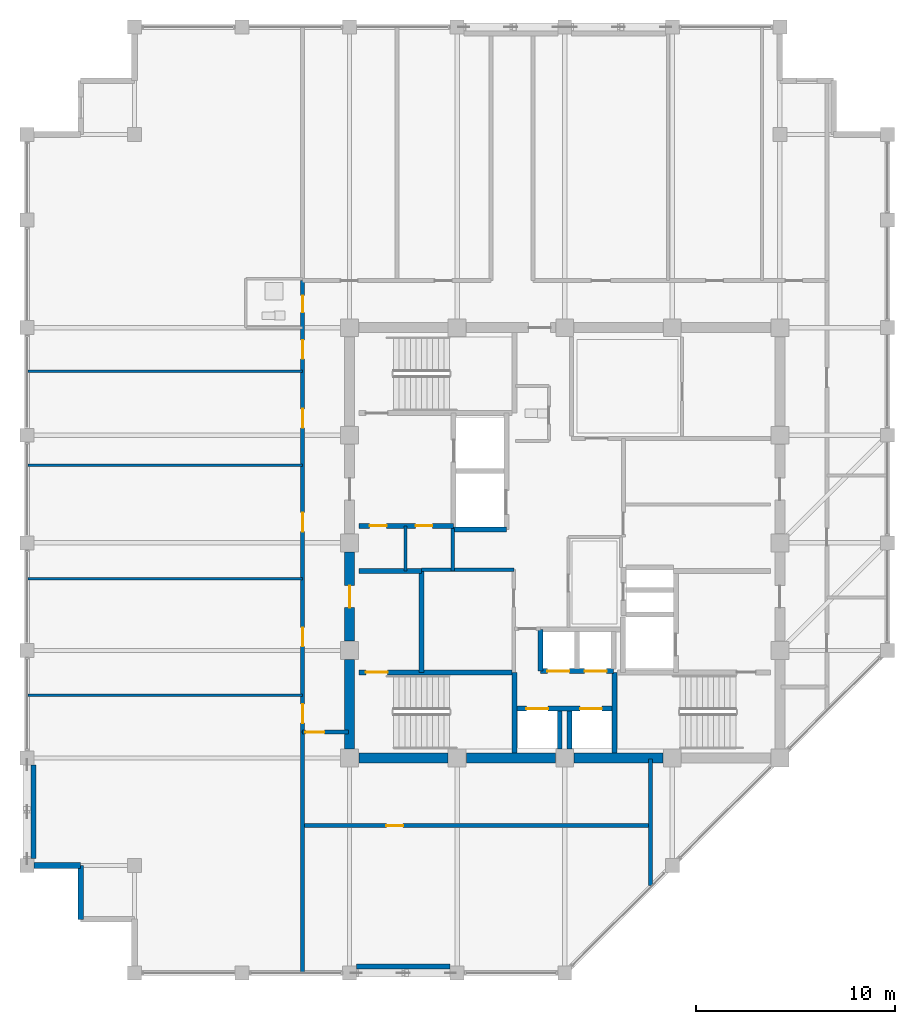
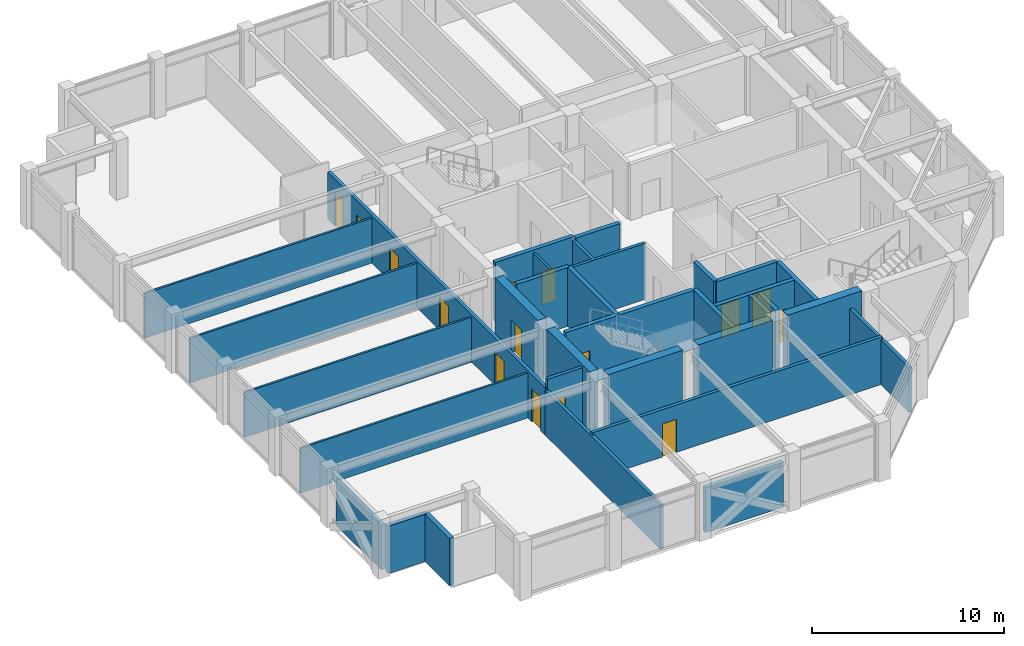
# One storey, part 26 of 31: 33 walls, 16 doors, 16 openings.
"""IFC4 building model written with IfcOpenShell, lengths in metres."""

from ifc_helpers import new_model, si_unit, direction, frame, frame_2d, origin, place, context, subcontext, project, spatial, rectangle, extrude, material, layer, layer_set, type_object, element, fill, save


model = new_model("IFC4")

# Units and contexts
model_context = context("Model", 3, precision=1e-05, world=origin(), true_north=direction((0.0, 1.0)))
body_context = subcontext(model_context, "Body", "Model", "MODEL_VIEW")
ifc_project = project(units=[si_unit("LENGTHUNIT", "METRE"), si_unit("AREAUNIT", "SQUARE_METRE"), si_unit("VOLUMEUNIT", "CUBIC_METRE"), si_unit("PLANEANGLEUNIT", "RADIAN"), si_unit("MASSUNIT", "GRAM", prefix="KILO")], contexts=[model_context])

# Site, building, storey
site_placement = place(None, origin())
site = spatial("IfcSite", under=ifc_project, at=site_placement, CompositionType="ELEMENT")
building_placement = place(site_placement, origin())
building = spatial("IfcBuilding", under=site, at=building_placement, Name="Surkhivell Harbour Commons", CompositionType="ELEMENT")
storey_placement = place(building_placement, frame((0.0, 0.0, 285.0)))
storey = spatial("IfcBuildingStorey", under=building, at=storey_placement, Name="L74", CompositionType="ELEMENT", Elevation=285.0)

# Walls
ifc_material_1 = material(Name="Concrete C50/60", Category="concrete")
ifc_layer_1 = layer(ifc_material_1, 0.5)
ifc_layer_set_1 = layer_set([ifc_layer_1], Name="Concrete C50/60")
wall_type_1 = type_object("IfcWallType", Name="WAL-CORE-500", PredefinedType="SHEAR", material=ifc_layer_set_1)
for number, where, z_axis, x_axis, name in (
    (1, (-10.340087890625, -10.800048828125, 0.0), (0.0, 0.0, 1.0), (1.0, 0.0, 0.0), "L74 Core Shear Wall South 1"),
    (2, (-10.800048828125, -10.340087890625, 0.0), (0.0, 0.0, 1.0), (0.0, 1.0, 0.0), "L74 Core Shear Wall West 1"),
    (3, (-4.93994140625, -10.800048828125, 0.0), (0.0, 0.0, 1.0), (1.0, 0.0, 0.0), "L74 Core Shear Wall South 2"),
):
    element("IfcWall", number, at=place(storey_placement, frame(where, z_axis=z_axis, x_axis=x_axis)), inside=storey, type_object=wall_type_1, Name=name, PredefinedType="SHEAR", context=body_context, shape_type="SweptSolid", body=[
        extrude(rectangle(XDim=4.47998046875, YDim=0.5, at=frame_2d((2.239990234375, 0.0))), origin(), (0.0, 0.0, 1.0), 3.75),
    ])

# Wall, opening, door
wall_1_placement = place(storey_placement, frame((-10.800048828125, -4.93994140625, 0.0), z_axis=(0.0, 0.0, 1.0), x_axis=(0.0, 1.0, 0.0)))
wall_1 = element("IfcWall", 4, at=wall_1_placement, inside=storey, type_object=wall_type_1, Name="L74 Core Shear Wall West 2", PredefinedType="SHEAR", context=body_context, shape_type="SweptSolid", body=[
    extrude(rectangle(XDim=4.47998046875, YDim=0.5, at=frame_2d((2.239990234375, 0.0))), origin(), (0.0, 0.0, 1.0), 3.75),
])
opening_1_placement = place(wall_1_placement, frame((1.68994140625, 0.0, 0.0)))
opening_1 = element("IfcOpeningElement", 5, at=opening_1_placement, cuts=wall_1, Name="Opening ID-2", PredefinedType="OPENING", context=body_context, shape_type="SweptSolid", body=[
    extrude(rectangle(XDim=1.10009765625, YDim=2.10009765625, at=frame_2d((0.550048828125, 1.050048828125))), frame((0.0, 0.260009765625, 0.0), z_axis=(0.0, -1.0, 0.0), x_axis=(1.0, 0.0, 0.0)), (0.0, 0.0, 1.0), 0.52001953125),
])
ifc_material_2 = material(Name="Hardwood-veneered fire-rated door leaf", Category="wood")
door_type_1 = type_object("IfcDoorType", Name="DOR-FD60-1100", OperationType="NOTDEFINED", PredefinedType="DOOR", material=ifc_material_2)
door_1_placement = place(opening_1_placement, origin())
door_1 = element("IfcDoor", 6, at=door_1_placement, inside=storey, type_object=door_type_1, Name="L74 Stair 3 Lobby Corridor Door", OperationType="SINGLE_SWING_LEFT", OverallHeight=2.10009765625, OverallWidth=1.10009765625, PredefinedType="DOOR", context=body_context, shape_type="SweptSolid", body=[
    extrude(rectangle(XDim=1.10009765625, YDim=2.10009765625, at=frame_2d((0.550048828125, 1.050048828125))), frame((0.0, 0.02490234375, 0.0), z_axis=(0.0, -1.0, 0.0), x_axis=(1.0, 0.0, 0.0)), (0.0, 0.0, 1.0), 0.050048828125),
])
fill(opening_1, door_1)

# Walls
wall_2_placement = place(storey_placement, frame((0.4599609375, -10.800048828125, 0.0), z_axis=(0.0, 0.0, 1.0), x_axis=(1.0, 0.0, 0.0)))
element("IfcWall", 7, at=wall_2_placement, inside=storey, type_object=wall_type_1, Name="L74 Core Shear Wall South 3", PredefinedType="SHEAR", context=body_context, shape_type="SweptSolid", body=[
    extrude(rectangle(XDim=4.47998046875, YDim=0.5, at=frame_2d((2.239990234375, 0.0))), origin(), (0.0, 0.0, 1.0), 3.75),
])
ifc_material_3 = material(Name="Pale-metal insulated precast concrete C45/55", Category="concrete")
ifc_layer_2 = layer(ifc_material_3, 0.260009765625)
ifc_layer_set_2 = layer_set([ifc_layer_2], Name="Pale-metal insulated precast concrete C45/55")
wall_type_2 = type_object("IfcWallType", Name="WAL-EXT-MTL260", PredefinedType="STANDARD", material=ifc_layer_set_2)
wall_3_placement = place(storey_placement, frame((-10.451904296875, -21.264892578125, 0.0), z_axis=(0.0, 0.0, 1.0), x_axis=(1.0, 0.0, 0.0)))
element("IfcWall", 8, at=wall_3_placement, inside=storey, type_object=wall_type_2, Name="L74 Braced-Bay Insulated Spandrel Backing S", PredefinedType="STANDARD", context=body_context, shape_type="SweptSolid", body=[
    extrude(rectangle(XDim=4.703857421875, YDim=0.260009765625, at=frame_2d((2.35205078125, 0.0))), origin(), (0.0, 0.0, 1.0), 2.85693359375),
])
wall_4_placement = place(storey_placement, frame((-26.6650390625, -11.14794921875, 0.0), z_axis=(0.0, 0.0, 1.0), x_axis=(0.0, -1.0, 0.0)))
element("IfcWall", 9, at=wall_4_placement, inside=storey, type_object=wall_type_2, Name="L74 Braced-Bay Insulated Spandrel Backing W", PredefinedType="STANDARD", context=body_context, shape_type="SweptSolid", body=[
    extrude(rectangle(XDim=4.7041015625, YDim=0.260009765625, at=frame_2d((2.35205078125, 0.0))), origin(), (0.0, 0.0, 1.0), 2.85693359375),
])
ifc_material_4 = material(Name="Terracotta-clad reinforced concrete C45/55", Category="masonry")
ifc_layer_3 = layer(ifc_material_4, 0.280029296875)
ifc_layer_set_3 = layer_set([ifc_layer_3], Name="Terracotta-clad reinforced concrete C45/55")
wall_type_3 = type_object("IfcWallType", Name="WAL-EXT-TER280", PredefinedType="STANDARD", material=ifc_layer_set_3)
wall_5_placement = place(storey_placement, frame((-26.652099609375, -16.199951171875, 0.0), z_axis=(0.0, 0.0, 1.0), x_axis=(1.0, 0.0, 0.0)))
element("IfcWall", 10, at=wall_5_placement, inside=storey, type_object=wall_type_3, Name="L74 Serrated Corner Facade Wall 13", PredefinedType="STANDARD", context=body_context, shape_type="SweptSolid", body=[
    extrude(rectangle(XDim=2.35205078125, YDim=0.280029296875, at=frame_2d((1.176025390625, 0.0))), origin(), (0.0, 0.0, 1.0), 3.012939453125),
])
wall_6_placement = place(storey_placement, frame((-24.300048828125, -16.199951171875, 0.0), z_axis=(0.0, 0.0, 1.0), x_axis=(0.0, -1.0, 0.0)))
element("IfcWall", 11, at=wall_6_placement, inside=storey, type_object=wall_type_3, Name="L74 Serrated Corner Facade Wall 14", PredefinedType="STANDARD", context=body_context, shape_type="SweptSolid", body=[
    extrude(rectangle(XDim=2.699951171875, YDim=0.280029296875, at=frame_2d((1.35009765625, 0.0))), origin(), (0.0, 0.0, 1.0), 3.012939453125),
])
ifc_material_5 = material(Name="Moisture-resistant acoustic stud partition", Category="other")
ifc_layer_4 = layer(ifc_material_5, 0.125)
ifc_layer_set_4 = layer_set([ifc_layer_4], Name="Moisture-resistant acoustic stud partition")
wall_type_4 = type_object("IfcWallType", Name="WAL-INT-125", PredefinedType="PARTITIONING", material=ifc_layer_set_4)
for number, where, z_axis, x_axis, name in (
    (12, (-26.93994140625, -1.800048828125, 0.0), (0.0, 0.0, 1.0), (1.0, 0.0, 0.0), "L74 West Partition BDP1"),
    (13, (-26.93994140625, 3.889892578125, 0.0), (0.0, 0.0, 1.0), (1.0, 0.0, 0.0), "L74 West Partition BDP2"),
    (14, (-26.93994140625, -7.64990234375, 0.0), (0.0, 0.0, 1.0), (1.0, 0.0, 0.0), "L74 West Partition PBOT"),
    (15, (-26.93994140625, 8.610107421875, 0.0), (0.0, 0.0, 1.0), (1.0, 0.0, 0.0), "L74 West Partition PTOP"),
):
    element("IfcWall", number, at=place(storey_placement, frame(where, z_axis=z_axis, x_axis=x_axis)), inside=storey, type_object=wall_type_4, Name=name, PredefinedType="PARTITIONING", context=body_context, shape_type="SweptSolid", body=[
        extrude(rectangle(XDim=13.780029296875, YDim=0.125, at=frame_2d((6.89013671875, 0.0))), origin(), (0.0, 0.0, 1.0), 2.85693359375),
    ])
ifc_material_6 = material(Name="Twin-stud acoustic fireboard partition", Category="other")
ifc_layer_5 = layer(ifc_material_6, 0.14990234375)
ifc_layer_set_5 = layer_set([ifc_layer_5], Name="Twin-stud acoustic fireboard partition")
wall_type_5 = type_object("IfcWallType", Name="WAL-INT-150", PredefinedType="PARTITIONING", material=ifc_layer_set_5)
wall_7_placement = place(storey_placement, frame((-8.0, -1.419921875, 0.0), z_axis=(0.0, 0.0, 1.0), x_axis=(0.0, 1.0, 0.0)))
element("IfcWall", 16, at=wall_7_placement, inside=storey, type_object=wall_type_5, Name="L74 West Core Cut D1", PredefinedType="PARTITIONING", context=body_context, shape_type="SweptSolid", body=[
    extrude(rectangle(XDim=2.27001953125, YDim=0.14990234375, at=frame_2d((1.135009765625, 0.0))), origin(), (0.0, 0.0, 1.0), 3.570068359375),
])
ifc_material_7 = material(Name="High-density acoustic blockwork fire partition", Category="masonry")
ifc_layer_6 = layer(ifc_material_7, 0.175048828125)
ifc_layer_set_6 = layer_set([ifc_layer_6], Name="High-density acoustic blockwork fire partition")
wall_type_6 = type_object("IfcWallType", Name="WAL-INT-175", PredefinedType="PARTITIONING", material=ifc_layer_set_6)
wall_8_placement = place(storey_placement, frame((-7.179931640625, -1.35009765625, 0.0), z_axis=(0.0, 0.0, 1.0), x_axis=(1.0, 0.0, 0.0)))
element("IfcWall", 17, at=wall_8_placement, inside=storey, type_object=wall_type_6, Name="L74 Core Service Bay North Wall", PredefinedType="PARTITIONING", context=body_context, shape_type="SweptSolid", body=[
    extrude(rectangle(XDim=4.6298828125, YDim=0.175048828125, at=frame_2d((2.31494140625, 0.0))), origin(), (0.0, 0.0, 1.0), 3.570068359375),
])
wall_9_placement = place(storey_placement, frame((-5.6201171875, -1.419921875, 0.0), z_axis=(0.0, 0.0, 1.0), x_axis=(0.0, 1.0, 0.0)))
element("IfcWall", 18, at=wall_9_placement, inside=storey, type_object=wall_type_6, Name="L74 West Core Bay East Wall", PredefinedType="PARTITIONING", context=body_context, shape_type="SweptSolid", body=[
    extrude(rectangle(XDim=2.139892578125, YDim=0.175048828125, at=frame_2d((1.06982421875, 0.0))), origin(), (0.0, 0.0, 1.0), 3.570068359375),
])
ifc_material_8 = material(Name="Autoclaved aerated concrete blockwork and fire plaster", Category="masonry")
ifc_layer_7 = layer(ifc_material_8, 0.199951171875)
ifc_layer_set_7 = layer_set([ifc_layer_7], Name="Autoclaved aerated concrete blockwork and fire plaster")
wall_type_7 = type_object("IfcWallType", Name="WAL-INT-200", PredefinedType="PARTITIONING", material=ifc_layer_set_7)
wall_10_placement = place(storey_placement, frame((4.300048828125, -17.215087890625, 0.0), z_axis=(0.0, 0.0, 1.0), x_axis=(0.0, 1.0, 0.0)))
element("IfcWall", 19, at=wall_10_placement, inside=storey, type_object=wall_type_7, Name="L74 South Hall East Wall", PredefinedType="PARTITIONING", context=body_context, shape_type="SweptSolid", body=[
    extrude(rectangle(XDim=6.364990234375, YDim=0.199951171875, at=frame_2d((3.1826171875, 0.0))), origin(), (0.0, 0.0, 1.0), 2.85693359375),
])

# Wall, opening, door
wall_11_placement = place(storey_placement, frame((-13.159912109375, -14.199951171875, 0.0), z_axis=(0.0, 0.0, 1.0), x_axis=(1.0, 0.0, 0.0)))
wall_11 = element("IfcWall", 20, at=wall_11_placement, inside=storey, type_object=wall_type_7, Name="L74 South Wing Horizontal Partition", PredefinedType="PARTITIONING", context=body_context, shape_type="SweptSolid", body=[
    extrude(rectangle(XDim=17.4599609375, YDim=0.199951171875, at=frame_2d((8.72998046875, 0.0))), origin(), (0.0, 0.0, 1.0), 3.012939453125),
])
opening_2_placement = place(wall_11_placement, frame((4.199951171875, 0.0, 0.0)))
opening_2 = element("IfcOpeningElement", 21, at=opening_2_placement, cuts=wall_11, Name="Opening ID-6", PredefinedType="OPENING", context=body_context, shape_type="SweptSolid", body=[
    extrude(rectangle(XDim=0.85009765625, YDim=2.10009765625, at=frame_2d((0.425048828125, 1.050048828125))), frame((0.0, 0.10986328125, 0.0), z_axis=(0.0, -1.0, 0.0), x_axis=(1.0, 0.0, 0.0)), (0.0, 0.0, 1.0), 0.219970703125),
])
door_type_2 = type_object("IfcDoorType", Name="DOR-FD30-850", OperationType="NOTDEFINED", PredefinedType="DOOR", material=ifc_material_2)
door_2_placement = place(opening_2_placement, origin())
door_2 = element("IfcDoor", 22, at=door_2_placement, inside=storey, type_object=door_type_2, Name="L74 South Music Door", OperationType="SINGLE_SWING_LEFT", OverallHeight=2.10009765625, OverallWidth=0.85009765625, PredefinedType="DOOR", context=body_context, shape_type="SweptSolid", body=[
    extrude(rectangle(XDim=0.85009765625, YDim=2.10009765625, at=frame_2d((0.425048828125, 1.050048828125))), frame((0.0, 0.02490234375, 0.0), z_axis=(0.0, -1.0, 0.0), x_axis=(1.0, 0.0, 0.0)), (0.0, 0.0, 1.0), 0.050048828125),
])
fill(opening_2, door_2)

# Wall
wall_12_placement = place(storey_placement, frame((-13.159912109375, -21.5400390625, 0.0), z_axis=(0.0, 0.0, 1.0), x_axis=(0.0, 1.0, 0.0)))
element("IfcWall", 23, at=wall_12_placement, inside=storey, type_object=wall_type_7, Name="L74 South Hall West Divider", PredefinedType="PARTITIONING", context=body_context, shape_type="SweptSolid", body=[
    extrude(rectangle(XDim=12.0400390625, YDim=0.199951171875, at=frame_2d((6.02001953125, 0.0))), origin(), (0.0, 0.0, 1.0), 2.85693359375),
])

# Wall, openings, doors
wall_13_placement = place(storey_placement, frame((-13.159912109375, -9.5, 0.0), z_axis=(0.0, 0.0, 1.0), x_axis=(0.0, 1.0, 0.0)))
wall_13 = element("IfcWall", 24, at=wall_13_placement, inside=storey, type_object=wall_type_7, Name="L74 West Corridor Wall", PredefinedType="PARTITIONING", context=body_context, shape_type="SweptSolid", body=[
    extrude(rectangle(XDim=22.659912109375, YDim=0.199951171875, at=frame_2d((11.330078125, 0.0))), origin(), (0.0, 0.0, 1.0), 3.012939453125),
])
opening_3_placement = place(wall_13_placement, frame((0.445068359375, 0.0, 0.0)))
opening_3 = element("IfcOpeningElement", 25, at=opening_3_placement, cuts=wall_13, Name="Opening ID-4", PredefinedType="OPENING", context=body_context, shape_type="SweptSolid", body=[
    extrude(rectangle(XDim=0.949951171875, YDim=2.10009765625, at=frame_2d((0.47509765625, 1.050048828125))), frame((0.0, 0.10986328125, 0.0), z_axis=(0.0, -1.0, 0.0), x_axis=(1.0, 0.0, 0.0)), (0.0, 0.0, 1.0), 0.219970703125),
])
opening_4_placement = place(wall_13_placement, frame((21.06494140625, 0.0, 0.0)))
opening_4 = element("IfcOpeningElement", 26, at=opening_4_placement, cuts=wall_13, Name="Opening ID-6", PredefinedType="OPENING", context=body_context, shape_type="SweptSolid", body=[
    extrude(rectangle(XDim=0.85009765625, YDim=2.10009765625, at=frame_2d((0.425048828125, 1.050048828125))), frame((0.0, 0.10986328125, 0.0), z_axis=(0.0, -1.0, 0.0), x_axis=(1.0, 0.0, 0.0)), (0.0, 0.0, 1.0), 0.219970703125),
])
opening_5_placement = place(wall_13_placement, frame((18.72998046875, 0.0, 0.0)))
opening_5 = element("IfcOpeningElement", 27, at=opening_5_placement, cuts=wall_13, Name="Opening ID-4", PredefinedType="OPENING", context=body_context, shape_type="SweptSolid", body=[
    extrude(rectangle(XDim=0.949951171875, YDim=2.10009765625, at=frame_2d((0.47509765625, 1.050048828125))), frame((0.0, 0.10986328125, 0.0), z_axis=(0.0, -1.0, 0.0), x_axis=(1.0, 0.0, 0.0)), (0.0, 0.0, 1.0), 0.219970703125),
])
opening_6_placement = place(wall_13_placement, frame((4.294921875, 0.0, 0.0)))
opening_6 = element("IfcOpeningElement", 28, at=opening_6_placement, cuts=wall_13, Name="Opening ID-4", PredefinedType="OPENING", context=body_context, shape_type="SweptSolid", body=[
    extrude(rectangle(XDim=0.949951171875, YDim=2.10009765625, at=frame_2d((0.47509765625, 1.050048828125))), frame((0.0, 0.10986328125, 0.0), z_axis=(0.0, -1.0, 0.0), x_axis=(1.0, 0.0, 0.0)), (0.0, 0.0, 1.0), 0.219970703125),
])
opening_7_placement = place(wall_13_placement, frame((10.06494140625, 0.0, 0.0)))
opening_7 = element("IfcOpeningElement", 29, at=opening_7_placement, cuts=wall_13, Name="Opening ID-4", PredefinedType="OPENING", context=body_context, shape_type="SweptSolid", body=[
    extrude(rectangle(XDim=0.949951171875, YDim=2.10009765625, at=frame_2d((0.47509765625, 1.050048828125))), frame((0.0, 0.10986328125, 0.0), z_axis=(0.0, -1.0, 0.0), x_axis=(1.0, 0.0, 0.0)), (0.0, 0.0, 1.0), 0.219970703125),
])
opening_8_placement = place(wall_13_placement, frame((15.27001953125, 0.0, 0.0)))
opening_8 = element("IfcOpeningElement", 30, at=opening_8_placement, cuts=wall_13, Name="Opening ID-4", PredefinedType="OPENING", context=body_context, shape_type="SweptSolid", body=[
    extrude(rectangle(XDim=0.949951171875, YDim=2.10009765625, at=frame_2d((0.47509765625, 1.050048828125))), frame((0.0, 0.10986328125, 0.0), z_axis=(0.0, -1.0, 0.0), x_axis=(1.0, 0.0, 0.0)), (0.0, 0.0, 1.0), 0.219970703125),
])
door_3_placement = place(opening_4_placement, origin())
door_3 = element("IfcDoor", 31, at=door_3_placement, inside=storey, type_object=door_type_2, Name="L74 Communal Shower Bathroom West Door", OperationType="SINGLE_SWING_RIGHT", OverallHeight=2.10009765625, OverallWidth=0.85009765625, PredefinedType="DOOR", context=body_context, shape_type="SweptSolid", body=[
    extrude(rectangle(XDim=0.85009765625, YDim=2.10009765625, at=frame_2d((0.425048828125, 1.050048828125))), frame((0.0, 0.02490234375, 0.0), z_axis=(0.0, -1.0, 0.0), x_axis=(1.0, 0.0, 0.0)), (0.0, 0.0, 1.0), 0.050048828125),
])
fill(opening_4, door_3)
door_type_3 = type_object("IfcDoorType", Name="DOR-FD60-950", OperationType="NOTDEFINED", PredefinedType="DOOR", material=ifc_material_2)
door_4_placement = place(opening_3_placement, origin())
door_4 = element("IfcDoor", 32, at=door_4_placement, inside=storey, type_object=door_type_3, Name="L74 Shared Communal Kitchen West Door", OperationType="SINGLE_SWING_LEFT", OverallHeight=2.10009765625, OverallWidth=0.949951171875, PredefinedType="DOOR", context=body_context, shape_type="SweptSolid", body=[
    extrude(rectangle(XDim=0.949951171875, YDim=2.10009765625, at=frame_2d((0.47509765625, 1.050048828125))), frame((0.0, 0.02490234375, 0.0), z_axis=(0.0, -1.0, 0.0), x_axis=(1.0, 0.0, 0.0)), (0.0, 0.0, 1.0), 0.050048828125),
])
fill(opening_3, door_4)
door_5_placement = place(opening_5_placement, origin())
door_5 = element("IfcDoor", 33, at=door_5_placement, inside=storey, type_object=door_type_3, Name="L74 Academic Reading Commons West Door", OperationType="SINGLE_SWING_LEFT", OverallHeight=2.10009765625, OverallWidth=0.949951171875, PredefinedType="DOOR", context=body_context, shape_type="SweptSolid", body=[
    extrude(rectangle(XDim=0.949951171875, YDim=2.10009765625, at=frame_2d((0.47509765625, 1.050048828125))), frame((0.0, 0.02490234375, 0.0), z_axis=(0.0, -1.0, 0.0), x_axis=(1.0, 0.0, 0.0)), (0.0, 0.0, 1.0), 0.050048828125),
])
fill(opening_5, door_5)
door_6_placement = place(opening_6_placement, origin())
door_6 = element("IfcDoor", 34, at=door_6_placement, inside=storey, type_object=door_type_3, Name="L74 Hostel Cluster Bedroom 1 West Door", OperationType="SINGLE_SWING_RIGHT", OverallHeight=2.10009765625, OverallWidth=0.949951171875, PredefinedType="DOOR", context=body_context, shape_type="SweptSolid", body=[
    extrude(rectangle(XDim=0.949951171875, YDim=2.10009765625, at=frame_2d((0.47509765625, 1.050048828125))), frame((0.0, 0.02490234375, 0.0), z_axis=(0.0, -1.0, 0.0), x_axis=(1.0, 0.0, 0.0)), (0.0, 0.0, 1.0), 0.050048828125),
])
fill(opening_6, door_6)
door_7_placement = place(opening_7_placement, origin())
door_7 = element("IfcDoor", 35, at=door_7_placement, inside=storey, type_object=door_type_3, Name="L74 Co-Living Dormitory Bedroom 2 West Door", OperationType="SINGLE_SWING_LEFT", OverallHeight=2.10009765625, OverallWidth=0.949951171875, PredefinedType="DOOR", context=body_context, shape_type="SweptSolid", body=[
    extrude(rectangle(XDim=0.949951171875, YDim=2.10009765625, at=frame_2d((0.47509765625, 1.050048828125))), frame((0.0, 0.02490234375, 0.0), z_axis=(0.0, -1.0, 0.0), x_axis=(1.0, 0.0, 0.0)), (0.0, 0.0, 1.0), 0.050048828125),
])
fill(opening_7, door_7)
door_8_placement = place(opening_8_placement, origin())
door_8 = element("IfcDoor", 36, at=door_8_placement, inside=storey, type_object=door_type_3, Name="L74 Hostel Cluster Bedroom 3 West Door", OperationType="SINGLE_SWING_RIGHT", OverallHeight=2.10009765625, OverallWidth=0.949951171875, PredefinedType="DOOR", context=body_context, shape_type="SweptSolid", body=[
    extrude(rectangle(XDim=0.949951171875, YDim=2.10009765625, at=frame_2d((0.47509765625, 1.050048828125))), frame((0.0, 0.02490234375, 0.0), z_axis=(0.0, -1.0, 0.0), x_axis=(1.0, 0.0, 0.0)), (0.0, 0.0, 1.0), 0.050048828125),
])
fill(opening_8, door_8)

# Wall, opening, door
wall_14_placement = place(storey_placement, frame((-13.159912109375, -9.5, 0.0), z_axis=(0.0, 0.0, 1.0), x_axis=(1.0, 0.0, 0.0)))
wall_14 = element("IfcWall", 37, at=wall_14_placement, inside=storey, type_object=wall_type_7, Name="L74 West Corridor South Portal Wall", PredefinedType="PARTITIONING", context=body_context, shape_type="SweptSolid", body=[
    extrude(rectangle(XDim=2.309814453125, YDim=0.199951171875, at=frame_2d((1.15478515625, 0.0))), origin(), (0.0, 0.0, 1.0), 3.570068359375),
])
opening_9_placement = place(wall_14_placement, frame((0.139892578125, 0.0, 0.0)))
opening_9 = element("IfcOpeningElement", 38, at=opening_9_placement, cuts=wall_14, Name="Opening ID-4", PredefinedType="OPENING", context=body_context, shape_type="SweptSolid", body=[
    extrude(rectangle(XDim=0.949951171875, YDim=2.10009765625, at=frame_2d((0.47509765625, 1.050048828125))), frame((0.0, 0.10986328125, 0.0), z_axis=(0.0, -1.0, 0.0), x_axis=(1.0, 0.0, 0.0)), (0.0, 0.0, 1.0), 0.219970703125),
])
door_9_placement = place(opening_9_placement, origin())
door_9 = element("IfcDoor", 39, at=door_9_placement, inside=storey, type_object=door_type_3, Name="L74 South Dining Door", OperationType="SINGLE_SWING_RIGHT", OverallHeight=2.10009765625, OverallWidth=0.949951171875, PredefinedType="DOOR", context=body_context, shape_type="SweptSolid", body=[
    extrude(rectangle(XDim=0.949951171875, YDim=2.10009765625, at=frame_2d((0.47509765625, 1.050048828125))), frame((0.0, 0.02490234375, 0.0), z_axis=(0.0, -1.0, 0.0), x_axis=(1.0, 0.0, 0.0)), (0.0, 0.0, 1.0), 0.050048828125),
])
fill(opening_9, door_9)

# Wall, openings, doors
ifc_layer_8 = layer(ifc_material_1, 0.25)
ifc_layer_set_8 = layer_set([ifc_layer_8], Name="Concrete C50/60")
wall_type_8 = type_object("IfcWallType", Name="WAL-SHAFT-250", PredefinedType="SHEAR", material=ifc_layer_set_8)
wall_15_placement = place(storey_placement, frame((-10.340087890625, 0.85009765625, 0.0), z_axis=(0.0, 0.0, 1.0), x_axis=(1.0, 0.0, 0.0)))
wall_15 = element("IfcWall", 40, at=wall_15_placement, inside=storey, type_object=wall_type_8, Name="L74 Firefighting Lobby 1 South Wall", PredefinedType="SHEAR", context=body_context, shape_type="SweptSolid", body=[
    extrude(rectangle(XDim=4.760009765625, YDim=0.25, at=frame_2d((2.3798828125, 0.0))), origin(), (0.0, 0.0, 1.0), 3.75),
])
opening_10_placement = place(wall_15_placement, frame((0.550048828125, 0.0, 0.0)))
opening_10 = element("IfcOpeningElement", 41, at=opening_10_placement, cuts=wall_15, Name="Opening ID-6", PredefinedType="OPENING", context=body_context, shape_type="SweptSolid", body=[
    extrude(rectangle(XDim=0.85009765625, YDim=2.10009765625, at=frame_2d((0.425048828125, 1.050048828125))), frame((0.0, 0.135009765625, 0.0), z_axis=(0.0, -1.0, 0.0), x_axis=(1.0, 0.0, 0.0)), (0.0, 0.0, 1.0), 0.27001953125),
])
opening_11_placement = place(wall_15_placement, frame((2.85009765625, 0.0, 0.0)))
opening_11 = element("IfcOpeningElement", 42, at=opening_11_placement, cuts=wall_15, Name="Opening ID-6", PredefinedType="OPENING", context=body_context, shape_type="SweptSolid", body=[
    extrude(rectangle(XDim=0.85009765625, YDim=2.10009765625, at=frame_2d((0.425048828125, 1.050048828125))), frame((0.0, 0.135009765625, 0.0), z_axis=(0.0, -1.0, 0.0), x_axis=(1.0, 0.0, 0.0)), (0.0, 0.0, 1.0), 0.27001953125),
])
door_10_placement = place(opening_10_placement, origin())
door_10 = element("IfcDoor", 43, at=door_10_placement, inside=storey, type_object=door_type_2, Name="L74 West Seminar Pod Door", OperationType="SINGLE_SWING_LEFT", OverallHeight=2.10009765625, OverallWidth=0.85009765625, PredefinedType="DOOR", context=body_context, shape_type="SweptSolid", body=[
    extrude(rectangle(XDim=0.85009765625, YDim=2.10009765625, at=frame_2d((0.425048828125, 1.050048828125))), frame((0.0, 0.02490234375, 0.0), z_axis=(0.0, -1.0, 0.0), x_axis=(1.0, 0.0, 0.0)), (0.0, 0.0, 1.0), 0.050048828125),
])
fill(opening_10, door_10)
door_11_placement = place(opening_11_placement, origin())
door_11 = element("IfcDoor", 44, at=door_11_placement, inside=storey, type_object=door_type_2, Name="L74 West Reading Pod Door", OperationType="SINGLE_SWING_RIGHT", OverallHeight=2.10009765625, OverallWidth=0.85009765625, PredefinedType="DOOR", context=body_context, shape_type="SweptSolid", body=[
    extrude(rectangle(XDim=0.85009765625, YDim=2.10009765625, at=frame_2d((0.425048828125, 1.050048828125))), frame((0.0, 0.02490234375, 0.0), z_axis=(0.0, -1.0, 0.0), x_axis=(1.0, 0.0, 0.0)), (0.0, 0.0, 1.0), 0.050048828125),
])
fill(opening_11, door_11)

# Walls
for number, where, z_axis, x_axis, name in (
    (45, (-0.25, -10.35009765625, 0.0), (0.0, 0.0, 1.0), (0.0, 1.0, 0.0), "L74 High-Rise Side Wall S"),
    (46, (0.25, -10.35009765625, 0.0), (0.0, 0.0, 1.0), (0.0, 1.0, 0.0), "L74 High-Rise Side Wall S"),
):
    element("IfcWall", number, at=place(storey_placement, frame(where, z_axis=z_axis, x_axis=x_axis)), inside=storey, type_object=wall_type_8, Name=name, PredefinedType="SHEAR", context=body_context, shape_type="SweptSolid", body=[
        extrude(rectangle(XDim=1.91015625, YDim=0.25, at=frame_2d((0.955078125, 0.0))), origin(), (0.0, 0.0, 1.0), 3.75),
    ])
wall_16_placement = place(storey_placement, frame((-1.219970703125, -6.43994140625, 0.0), z_axis=(0.0, 0.0, 1.0), x_axis=(0.0, 1.0, 0.0)))
element("IfcWall", 47, at=wall_16_placement, inside=storey, type_object=wall_type_8, Name="L74 High-Rise Passage East Shaft Wall", PredefinedType="SHEAR", context=body_context, shape_type="SweptSolid", body=[
    extrude(rectangle(XDim=2.079833984375, YDim=0.25, at=frame_2d((1.0400390625, 0.0))), origin(), (0.0, 0.0, 1.0), 3.75),
])

# Wall, openings, doors
wall_17_placement = place(storey_placement, frame((-1.219970703125, -6.43994140625, 0.0), z_axis=(0.0, 0.0, 1.0), x_axis=(1.0, 0.0, 0.0)))
wall_17 = element("IfcWall", 48, at=wall_17_placement, inside=storey, type_object=wall_type_8, Name="L74 High-Rise North Front Shaft Wall", PredefinedType="SHEAR", context=body_context, shape_type="SweptSolid", body=[
    extrude(rectangle(XDim=3.669921875, YDim=0.25, at=frame_2d((1.8349609375, 0.0))), origin(), (0.0, 0.0, 1.0), 3.75),
])
opening_12_placement = place(wall_17_placement, frame((0.35009765625, 0.0, 0.0)))
opening_12 = element("IfcOpeningElement", 49, at=opening_12_placement, cuts=wall_17, Name="Opening LD-1", PredefinedType="OPENING", context=body_context, shape_type="SweptSolid", body=[
    extrude(rectangle(XDim=1.10009765625, YDim=2.10009765625, at=frame_2d((0.550048828125, 1.050048828125))), frame((0.0, 0.135009765625, 0.0), z_axis=(0.0, -1.0, 0.0), x_axis=(1.0, 0.0, 0.0)), (0.0, 0.0, 1.0), 0.27001953125),
])
opening_13_placement = place(wall_17_placement, frame((2.219970703125, 0.0, 0.0)))
opening_13 = element("IfcOpeningElement", 50, at=opening_13_placement, cuts=wall_17, Name="Opening LD-1", PredefinedType="OPENING", context=body_context, shape_type="SweptSolid", body=[
    extrude(rectangle(XDim=1.10009765625, YDim=2.10009765625, at=frame_2d((0.550048828125, 1.050048828125))), frame((0.0, 0.135009765625, 0.0), z_axis=(0.0, -1.0, 0.0), x_axis=(1.0, 0.0, 0.0)), (0.0, 0.0, 1.0), 0.27001953125),
])
ifc_material_9 = material(Name="Brushed stainless steel S355", Category="steel")
door_type_4 = type_object("IfcDoorType", Name="DOR-LD-1100", OperationType="SLIDING_TO_LEFT", PredefinedType="DOOR", material=ifc_material_9)
door_12_placement = place(opening_12_placement, origin())
door_12 = element("IfcDoor", 51, at=door_12_placement, inside=storey, type_object=door_type_4, Name="L74 Lift Landing Door LD-PH1", OperationType="SLIDING_TO_LEFT", OverallHeight=2.10009765625, OverallWidth=1.10009765625, PredefinedType="DOOR", context=body_context, shape_type="SweptSolid", body=[
    extrude(rectangle(XDim=1.10009765625, YDim=2.10009765625, at=frame_2d((0.550048828125, 1.050048828125))), frame((0.0, 0.02490234375, 0.0), z_axis=(0.0, -1.0, 0.0), x_axis=(1.0, 0.0, 0.0)), (0.0, 0.0, 1.0), 0.050048828125),
])
fill(opening_12, door_12)
door_13_placement = place(opening_13_placement, origin())
door_13 = element("IfcDoor", 52, at=door_13_placement, inside=storey, type_object=door_type_4, Name="L74 Lift Landing Door LD-PH2", OperationType="SLIDING_TO_LEFT", OverallHeight=2.10009765625, OverallWidth=1.10009765625, PredefinedType="DOOR", context=body_context, shape_type="SweptSolid", body=[
    extrude(rectangle(XDim=1.10009765625, YDim=2.10009765625, at=frame_2d((0.550048828125, 1.050048828125))), frame((0.0, 0.02490234375, 0.0), z_axis=(0.0, -1.0, 0.0), x_axis=(1.0, 0.0, 0.0)), (0.0, 0.0, 1.0), 0.050048828125),
])
fill(opening_13, door_13)

wall_18_placement = place(storey_placement, frame((-2.47998046875, -8.320068359375, 0.0), z_axis=(0.0, 0.0, 1.0), x_axis=(1.0, 0.0, 0.0)))
wall_18 = element("IfcWall", 53, at=wall_18_placement, inside=storey, type_object=wall_type_8, Name="L74 High-Rise South Front Shaft Wall", PredefinedType="SHEAR", context=body_context, shape_type="SweptSolid", body=[
    extrude(rectangle(XDim=4.929931640625, YDim=0.25, at=frame_2d((2.46484375, 0.0))), origin(), (0.0, 0.0, 1.0), 3.75),
])
opening_14_placement = place(wall_18_placement, frame((0.550048828125, 0.0, 0.0)))
opening_14 = element("IfcOpeningElement", 54, at=opening_14_placement, cuts=wall_18, Name="Opening LD-1", PredefinedType="OPENING", context=body_context, shape_type="SweptSolid", body=[
    extrude(rectangle(XDim=1.10009765625, YDim=2.10009765625, at=frame_2d((0.550048828125, 1.050048828125))), frame((0.0, 0.135009765625, 0.0), z_axis=(0.0, -1.0, 0.0), x_axis=(1.0, 0.0, 0.0)), (0.0, 0.0, 1.0), 0.27001953125),
])
opening_15_placement = place(wall_18_placement, frame((3.25, 0.0, 0.0)))
opening_15 = element("IfcOpeningElement", 55, at=opening_15_placement, cuts=wall_18, Name="Opening LD-1", PredefinedType="OPENING", context=body_context, shape_type="SweptSolid", body=[
    extrude(rectangle(XDim=1.10009765625, YDim=2.10009765625, at=frame_2d((0.550048828125, 1.050048828125))), frame((0.0, 0.135009765625, 0.0), z_axis=(0.0, -1.0, 0.0), x_axis=(1.0, 0.0, 0.0)), (0.0, 0.0, 1.0), 0.27001953125),
])
door_14_placement = place(opening_14_placement, origin())
door_14 = element("IfcDoor", 56, at=door_14_placement, inside=storey, type_object=door_type_4, Name="L74 Lift Landing Door LD-PH3", OperationType="SLIDING_TO_LEFT", OverallHeight=2.10009765625, OverallWidth=1.10009765625, PredefinedType="DOOR", context=body_context, shape_type="SweptSolid", body=[
    extrude(rectangle(XDim=1.10009765625, YDim=2.10009765625, at=frame_2d((0.550048828125, 1.050048828125))), frame((0.0, 0.02490234375, 0.0), z_axis=(0.0, -1.0, 0.0), x_axis=(1.0, 0.0, 0.0)), (0.0, 0.0, 1.0), 0.050048828125),
])
fill(opening_14, door_14)
door_15_placement = place(opening_15_placement, origin())
door_15 = element("IfcDoor", 57, at=door_15_placement, inside=storey, type_object=door_type_4, Name="L74 Lift Landing Door LD-PH4", OperationType="SLIDING_TO_LEFT", OverallHeight=2.10009765625, OverallWidth=1.10009765625, PredefinedType="DOOR", context=body_context, shape_type="SweptSolid", body=[
    extrude(rectangle(XDim=1.10009765625, YDim=2.10009765625, at=frame_2d((0.550048828125, 1.050048828125))), frame((0.0, 0.02490234375, 0.0), z_axis=(0.0, -1.0, 0.0), x_axis=(1.0, 0.0, 0.0)), (0.0, 0.0, 1.0), 0.050048828125),
])
fill(opening_15, door_15)

# Walls
for number, where, z_axis, x_axis, name in (
    (58, (2.510009765625, -10.550048828125, 0.0), (0.0, 0.0, 1.0), (0.0, 1.0, 0.0), "L74 Stair ST2 West Shear Wall"),
    (59, (-2.510009765625, -10.550048828125, 0.0), (0.0, 0.0, 1.0), (0.0, 1.0, 0.0), "L74 Stair ST3 East Shear Wall"),
):
    element("IfcWall", number, at=place(storey_placement, frame(where, z_axis=z_axis, x_axis=x_axis)), inside=storey, type_object=wall_type_8, Name=name, PredefinedType="SHEAR", context=body_context, shape_type="SweptSolid", body=[
        extrude(rectangle(XDim=4.0400390625, YDim=0.25, at=frame_2d((2.02001953125, 0.0))), origin(), (0.0, 0.0, 1.0), 3.75),
    ])
wall_19_placement = place(storey_placement, frame((-7.179931640625, -6.510009765625, 0.0), z_axis=(0.0, 0.0, 1.0), x_axis=(0.0, 1.0, 0.0)))
element("IfcWall", 60, at=wall_19_placement, inside=storey, type_object=wall_type_8, Name="L74 Stair 3 Lobby East Wall", PredefinedType="SHEAR", context=body_context, shape_type="SweptSolid", body=[
    extrude(rectangle(XDim=5.090087890625, YDim=0.25, at=frame_2d((2.544921875, 0.0))), origin(), (0.0, 0.0, 1.0), 3.75),
])
wall_20_placement = place(storey_placement, frame((-10.340087890625, -1.419921875, 0.0), z_axis=(0.0, 0.0, 1.0), x_axis=(1.0, 0.0, 0.0)))
element("IfcWall", 61, at=wall_20_placement, inside=storey, type_object=wall_type_8, Name="L74 Stair 3 Lobby North Wall", PredefinedType="SHEAR", context=body_context, shape_type="SweptSolid", body=[
    extrude(rectangle(XDim=3.16015625, YDim=0.25, at=frame_2d((1.580078125, 0.0))), origin(), (0.0, 0.0, 1.0), 3.75),
])

# Wall, opening, door
wall_21_placement = place(storey_placement, frame((-10.340087890625, -6.510009765625, 0.0), z_axis=(0.0, 0.0, 1.0), x_axis=(1.0, 0.0, 0.0)))
wall_21 = element("IfcWall", 62, at=wall_21_placement, inside=storey, type_object=wall_type_8, Name="L74 Stair ST3 North Shear Wall", PredefinedType="SHEAR", context=body_context, shape_type="SweptSolid", body=[
    extrude(rectangle(XDim=7.7001953125, YDim=0.25, at=frame_2d((3.85009765625, 0.0))), origin(), (0.0, 0.0, 1.0), 3.75),
])
opening_16_placement = place(wall_21_placement, frame((0.35009765625, 0.0, 0.0)))
opening_16 = element("IfcOpeningElement", 63, at=opening_16_placement, cuts=wall_21, Name="Opening ID-2", PredefinedType="OPENING", context=body_context, shape_type="SweptSolid", body=[
    extrude(rectangle(XDim=1.10009765625, YDim=2.10009765625, at=frame_2d((0.550048828125, 1.050048828125))), frame((0.0, 0.135009765625, 0.0), z_axis=(0.0, -1.0, 0.0), x_axis=(1.0, 0.0, 0.0)), (0.0, 0.0, 1.0), 0.27001953125),
])
door_16_placement = place(opening_16_placement, origin())
door_16 = element("IfcDoor", 64, at=door_16_placement, inside=storey, type_object=door_type_1, Name="L74 Stair ST3 Exit Door", OperationType="SINGLE_SWING_RIGHT", OverallHeight=2.10009765625, OverallWidth=1.10009765625, PredefinedType="DOOR", context=body_context, shape_type="SweptSolid", body=[
    extrude(rectangle(XDim=1.10009765625, YDim=2.10009765625, at=frame_2d((0.550048828125, 1.050048828125))), frame((0.0, 0.02490234375, 0.0), z_axis=(0.0, -1.0, 0.0), x_axis=(1.0, 0.0, 0.0)), (0.0, 0.0, 1.0), 0.050048828125),
])
fill(opening_16, door_16)

# Wall
wall_22_placement = place(storey_placement, frame((-5.580078125, 0.679931640625, 0.0), z_axis=(0.0, 0.0, 1.0), x_axis=(1.0, 0.0, 0.0)))
element("IfcWall", 65, at=wall_22_placement, inside=storey, type_object=wall_type_8, Name="L74 SVL1 South Shaft Wall", PredefinedType="SHEAR", context=body_context, shape_type="SweptSolid", body=[
    extrude(rectangle(XDim=2.650146484375, YDim=0.25, at=frame_2d((1.3251953125, 0.0))), origin(), (0.0, 0.0, 1.0), 3.75),
])

save(model, "model.ifc")
